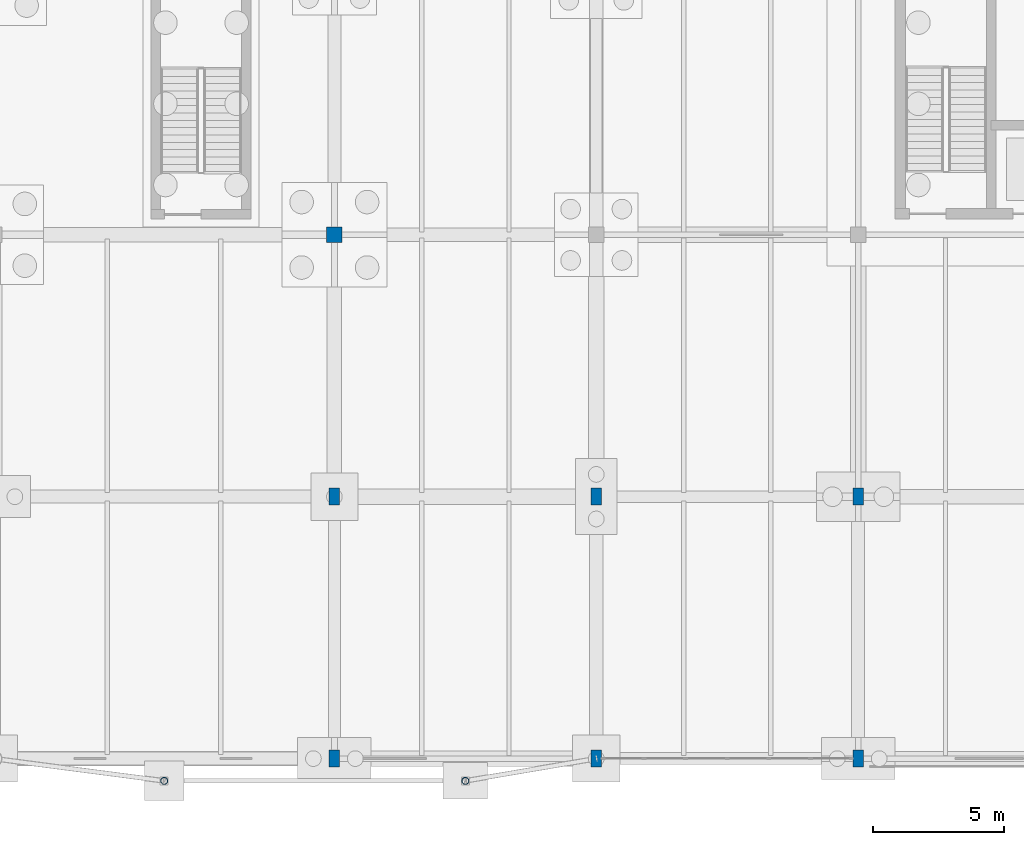
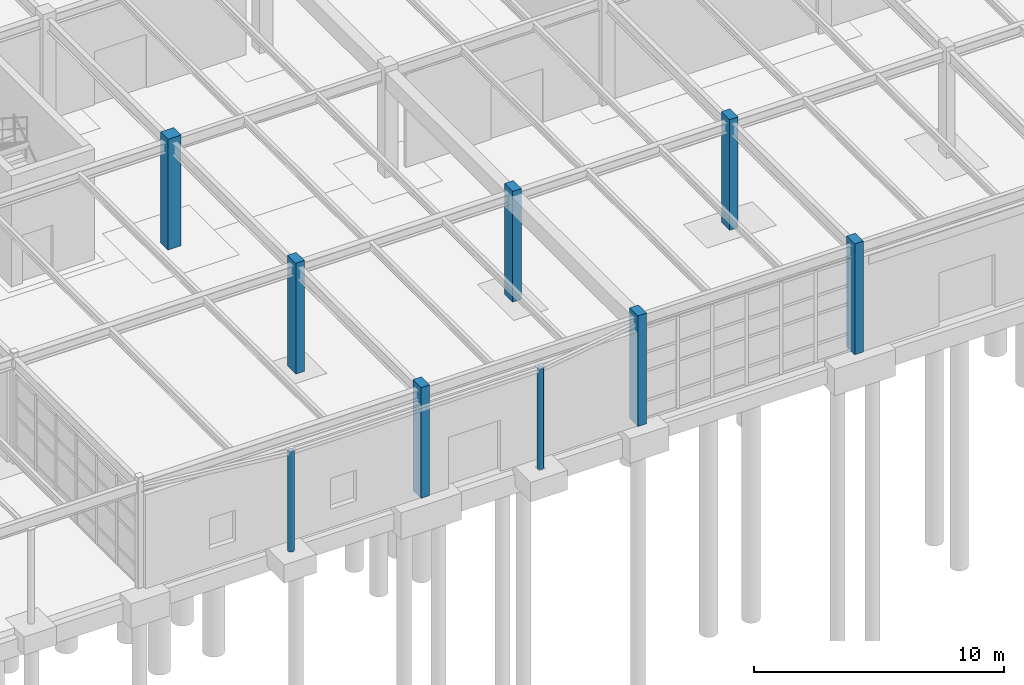
# One storey, part 26 of 145: 9 columns.
"""IFC4 building model written with IfcOpenShell, lengths in metres."""

import ifcopenshell
import ifcopenshell.guid

model = None  # the IFC model being written
_history = None  # IfcOwnerHistory: only IFC2X3 demands one
_inside = {}  # id of a spatial element -> (the spatial element, [elements in it])
_under = {}  # id of a project, library or spatial element -> (it, [spatial elements below it])
_declared = {}  # id of a project -> (the project, [libraries it declares])
_typed = {}  # id of a type object -> (the type object, [elements of that type])
_made_of = {}  # id of a material, layer set ... -> (it, [elements and type objects made of it])


def new_model(schema):
    """Start an empty IFC model of exactly this schema.

    Asked for "IFC4X3", IfcOpenShell would pick the latest addendum, in which some entities
    have other attributes; the version numbers below select the first issue.
    IFC2X3 requires an IfcOwnerHistory on every rooted entity: one is made here for all.
    """
    global model, _history
    if schema == "IFC4X3":
        model = ifcopenshell.file(schema_version=(4, 3, 0, 0))
    else:
        model = ifcopenshell.file(schema=schema)
    _inside.clear()
    _under.clear()
    _declared.clear()
    _typed.clear()
    _made_of.clear()
    _history = None
    if model.schema == "IFC2X3":
        org = make("IfcOrganization", Name="unknown")
        user = make(
            "IfcPersonAndOrganization",
            ThePerson=make("IfcPerson", FamilyName="unknown"),
            TheOrganization=org,
        )
        app = make(
            "IfcApplication",
            ApplicationDeveloper=org,
            Version="unknown",
            ApplicationFullName="unknown",
            ApplicationIdentifier="unknown",
        )
        _history = make(
            "IfcOwnerHistory",
            OwningUser=user,
            OwningApplication=app,
            ChangeAction="ADDED",
            CreationDate=0,
        )
    return model


def make(cls, **values):
    """One entity of the class cls with the attributes given. An attribute that is None is left unset."""
    return model.create_entity(
        cls, **{name: value for name, value in values.items() if value is not None}
    )


def rooted(cls, **values):
    """An entity with a GlobalId (a new one), such as an element, a storey or a relation."""
    return make(cls, GlobalId=ifcopenshell.guid.new(), OwnerHistory=_history, **values)


def si_unit(unit_type, name, prefix=None):
    """IfcSIUnit, for example si_unit("LENGTHUNIT", "METRE", prefix="MILLI")."""
    return make("IfcSIUnit", UnitType=unit_type, Prefix=prefix, Name=name)


def assignment(units):
    """IfcUnitAssignment: the units of a project."""
    return None if units is None else make("IfcUnitAssignment", Units=units)


def point(xyz):
    """IfcCartesianPoint."""
    return None if xyz is None else make("IfcCartesianPoint", Coordinates=xyz)


def direction(xyz):
    """IfcDirection."""
    return None if xyz is None else make("IfcDirection", DirectionRatios=xyz)


def frame(location, z_axis=None, x_axis=None):
    """IfcAxis2Placement3D, a coordinate frame: its origin and axes. An axis left out is left unset."""
    return make(
        "IfcAxis2Placement3D",
        Location=point(location),
        Axis=direction(z_axis),
        RefDirection=direction(x_axis),
    )


def frame_2d(location, x_axis=None):
    """IfcAxis2Placement2D, a coordinate frame in the plane: its origin and x axis."""
    return make(
        "IfcAxis2Placement2D", Location=point(location), RefDirection=direction(x_axis)
    )


def origin():
    """The frame at (0, 0, 0) with its axes left unset."""
    return frame((0.0, 0.0, 0.0))


def origin_2d():
    """The frame at (0, 0) in the plane with its x axis left unset."""
    return frame_2d((0.0, 0.0))


def place(relative_to, where):
    """IfcLocalPlacement: puts the frame where relative to a parent placement (None: the world)."""
    return make(
        "IfcLocalPlacement", PlacementRelTo=relative_to, RelativePlacement=where
    )


def context(
    kind, dimensions, precision=None, world=None, true_north=None, identifier=None
):
    """IfcGeometricRepresentationContext, for example the 3D "Model" context."""
    return make(
        "IfcGeometricRepresentationContext",
        ContextIdentifier=identifier,
        ContextType=kind,
        CoordinateSpaceDimension=dimensions,
        Precision=precision,
        WorldCoordinateSystem=world,
        TrueNorth=true_north,
    )


def subcontext(parent, identifier, kind, view, scale=None):
    """IfcGeometricRepresentationSubContext, for example "Body" below "Model"."""
    return make(
        "IfcGeometricRepresentationSubContext",
        ContextIdentifier=identifier,
        ContextType=kind,
        ParentContext=parent,
        TargetScale=scale,
        TargetView=view,
    )


def project(units=None, contexts=None):
    """IfcProject with its units and contexts."""
    return rooted(
        "IfcProject",
        Name="project",
        RepresentationContexts=contexts,
        UnitsInContext=assignment(units),
    )


def spatial(cls, under=None, at=None, **own):
    """A site, building, storey or space (cls), placed at a placement, below another one or the project."""
    s = rooted(cls, ObjectPlacement=at, **own)
    if under is not None:
        _under.setdefault(under.id(), (under, []))[1].append(s)
    return s


def profile(cls, at=None, kind="AREA", **sizes):
    """A parametric profile (cls). Its sizes go by their IFC names, for example OverallWidth=200.0."""
    return make(cls, ProfileType=kind, Position=at, **sizes)


def rectangle(**sizes):
    """IfcRectangleProfileDef."""
    return profile("IfcRectangleProfileDef", **sizes)


def hollow_circle(**sizes):
    """IfcCircleHollowProfileDef."""
    return profile("IfcCircleHollowProfileDef", **sizes)


def extrude(swept, where, along, depth):
    """IfcExtrudedAreaSolid: the profile swept, set in the frame where, extruded along a direction by depth."""
    return make(
        "IfcExtrudedAreaSolid",
        SweptArea=swept,
        Position=where,
        ExtrudedDirection=direction(along),
        Depth=depth,
    )


def shape(context_of_items, identifier, shape_type, items):
    """IfcShapeRepresentation: the items that make up one representation, for example the "Body"."""
    return make(
        "IfcShapeRepresentation",
        ContextOfItems=context_of_items,
        RepresentationIdentifier=identifier,
        RepresentationType=shape_type,
        Items=items,
    )


def material(Name=None, Category=None):
    """IfcMaterial."""
    return make("IfcMaterial", Name=Name, Category=Category)


def material_profile(
    of_material, cross_section, Name=None, Category=None, Priority=None
):
    """IfcMaterialProfile: a cross section and its material."""
    return make(
        "IfcMaterialProfile",
        Name=Name,
        Material=of_material,
        Profile=cross_section,
        Priority=Priority,
        Category=Category,
    )


def profile_set(profiles, Name=None, composite=None):
    """IfcMaterialProfileSet."""
    return make(
        "IfcMaterialProfileSet",
        Name=Name,
        MaterialProfiles=profiles,
        CompositeProfile=composite,
    )


def made_of(thing, what):
    """Note that an element or type object is made of a material, layer set ...; save() writes the relation."""
    if what is not None:
        _made_of.setdefault(what.id(), (what, []))[1].append(thing)
    return thing


def type_object(cls, material=None, **own):
    """A type object (cls), such as IfcWallType, which elements share."""
    return made_of(rooted(cls, **own), material)


def element(
    cls,
    number,
    at=None,
    inside=None,
    cuts=None,
    type_object=None,
    material=None,
    context=None,
    identifier="Body",
    shape_type=None,
    held_by="IfcProductDefinitionShape",
    body=None,
    shapes=None,
    **own,
):
    """One element of the class cls, such as IfcWall. Its Tag is "e" and its number.

    at: its placement. inside: the storey or other place that contains it. cuts: it is an
    opening in that element (IfcRelVoidsElement). A single representation is given by context,
    identifier, shape_type and body (its items); several are given by shapes. held_by: the class
    of the entity that holds the representations. save() writes the other relations.
    """
    e = rooted(cls, Tag="e%d" % number, ObjectPlacement=at, **own)
    if body is not None:
        shapes = [shape(context, identifier, shape_type, body)]
    if shapes is not None:
        e.Representation = make(held_by, Representations=shapes)
    if inside is not None:
        _inside.setdefault(inside.id(), (inside, []))[1].append(e)
    if cuts is not None:
        rooted(
            "IfcRelVoidsElement", RelatingBuildingElement=cuts, RelatedOpeningElement=e
        )
    if type_object is not None:
        _typed.setdefault(type_object.id(), (type_object, []))[1].append(e)
    return made_of(e, material)


def aggregate(whole, parts):
    """IfcRelAggregates: a whole, such as a stair, and the parts it consists of."""
    return rooted("IfcRelAggregates", RelatingObject=whole, RelatedObjects=parts)


def save(model, path):
    """Write the relations noted so far, then the file.

    IfcRelAggregates (storeys below a building ...), IfcRelContainedInSpatialStructure (elements
    in a storey), IfcRelDefinesByType, IfcRelAssociatesMaterial and IfcRelDeclares: one each for
    every whole, place, type object, material and project.
    """
    for whole, parts in _under.values():
        aggregate(whole, parts)
    for where, things in _inside.values():
        rooted(
            "IfcRelContainedInSpatialStructure",
            RelatedElements=things,
            RelatingStructure=where,
        )
    for kind, things in _typed.values():
        rooted("IfcRelDefinesByType", RelatedObjects=things, RelatingType=kind)
    for what, things in _made_of.values():
        rooted("IfcRelAssociatesMaterial", RelatedObjects=things, RelatingMaterial=what)
    for by, libraries in _declared.values():
        rooted("IfcRelDeclares", RelatingContext=by, RelatedDefinitions=libraries)
    model.write(path)


model = new_model("IFC4")

# Units and contexts
model_context = context("Model", 3, precision=1e-05, world=origin(), true_north=direction((0.0, 1.0)))
body_context = subcontext(model_context, "Body", "Model", "MODEL_VIEW")
ifc_project = project(units=[si_unit("LENGTHUNIT", "METRE"), si_unit("AREAUNIT", "SQUARE_METRE"), si_unit("VOLUMEUNIT", "CUBIC_METRE"), si_unit("PLANEANGLEUNIT", "RADIAN"), si_unit("MASSUNIT", "GRAM", prefix="KILO"), si_unit("THERMODYNAMICTEMPERATUREUNIT", "KELVIN"), si_unit("POWERUNIT", "WATT")], contexts=[model_context])

# Site, building, storey
site_placement = place(None, origin())
site = spatial("IfcSite", under=ifc_project, at=site_placement, CompositionType="ELEMENT")
building_placement = place(site_placement, origin())
building = spatial("IfcBuilding", under=site, at=building_placement, Name="Korenveer Ferry Terminal", CompositionType="ELEMENT")
storey_placement = place(building_placement, origin())
storey = spatial("IfcBuildingStorey", under=building, at=storey_placement, Name="L00", CompositionType="ELEMENT", Elevation=0.0)

# Columns
ifc_material_1 = material(Name="Steel S355", Category="steel")
ifc_material_profile_1 = material_profile(ifc_material_1, hollow_circle(Radius=0.136474609375, WallThickness=0.012451171875, at=origin_2d()), Name="CHS 273x12.5")
ifc_profile_set_1 = profile_set([ifc_material_profile_1], Name="Steel S355")
column_type_1 = type_object("IfcColumnType", Name="STR-COL-CHS273", PredefinedType="COLUMN", material=ifc_profile_set_1)
for number, where, z_axis, x_axis, name in (
    (1, (129.5, -0.85009765625, 0.0), (0.0, 0.0, 1.0), (1.0, 0.0, 0.0), "Forecourt lancet colonnade column 7"),
    (2, (141.0, -0.85009765625, 0.0), (0.0, 0.0, 1.0), (1.0, 0.0, 0.0), "Forecourt lancet colonnade column 8"),
):
    element("IfcColumn", number, at=place(storey_placement, frame(where, z_axis=z_axis, x_axis=x_axis)), inside=storey, type_object=column_type_1, Name=name, PredefinedType="COLUMN", context=body_context, shape_type="SweptSolid", body=[
        extrude(hollow_circle(Radius=0.136474609375, WallThickness=0.012451171875, at=origin_2d()), origin(), (0.0, 0.0, 1.0), 4.89990234375),
    ])
ifc_material_2 = material(Name="Concrete C45/55", Category="concrete")
ifc_material_profile_2 = material_profile(ifc_material_2, rectangle(XDim=0.39990234375, YDim=0.64990234375, at=origin_2d()), Name="RC 400x650")
ifc_profile_set_2 = profile_set([ifc_material_profile_2], Name="Concrete C45/55")
column_type_2 = type_object("IfcColumnType", Name="STR-COL-RC400X650", PredefinedType="COLUMN", material=ifc_profile_set_2)
for number, where, z_axis, x_axis, name in (
    (3, (136.0, 0.0, 0.0), (0.0, 0.0, 1.0), (1.0, 0.0, 0.0), "Column COL-L00-X136-Y0"),
    (4, (136.0, 10.0, 0.0), (0.0, 0.0, 1.0), (1.0, 0.0, 0.0), "Column COL-L00-X136-Y10"),
    (5, (146.0, 0.0, 0.0), (0.0, 0.0, 1.0), (1.0, 0.0, 0.0), "Column COL-L00-X146-Y0"),
    (6, (146.0, 10.0, 0.0), (0.0, 0.0, 1.0), (1.0, 0.0, 0.0), "Column COL-L00-X146-Y10"),
    (7, (156.0, 0.0, 0.0), (0.0, 0.0, 1.0), (1.0, 0.0, 0.0), "Column COL-L00-X156-Y0"),
    (8, (156.0, 10.0, 0.0), (0.0, 0.0, 1.0), (1.0, 0.0, 0.0), "Column COL-L00-X156-Y10"),
):
    element("IfcColumn", number, at=place(storey_placement, frame(where, z_axis=z_axis, x_axis=x_axis)), inside=storey, type_object=column_type_2, Name=name, PredefinedType="COLUMN", context=body_context, shape_type="SweptSolid", body=[
        extrude(rectangle(XDim=0.39990234375, YDim=0.64990234375, at=origin_2d()), origin(), (0.0, 0.0, 1.0), 5.39990234375),
    ])
ifc_material_profile_3 = material_profile(ifc_material_2, rectangle(XDim=0.60009765625, YDim=0.60009765625, at=origin_2d()), Name="RC 600x600")
ifc_profile_set_3 = profile_set([ifc_material_profile_3], Name="Concrete C45/55")
column_type_3 = type_object("IfcColumnType", Name="STR-COL-RC600", PredefinedType="COLUMN", material=ifc_profile_set_3)
column_placement = place(storey_placement, frame((136.0, 20.0, 0.0), z_axis=(0.0, 0.0, 1.0), x_axis=(1.0, 0.0, 0.0)))
element("IfcColumn", 9, at=column_placement, inside=storey, type_object=column_type_3, Name="Column COL-L00-X136-Y20", PredefinedType="COLUMN", context=body_context, shape_type="SweptSolid", body=[
    extrude(rectangle(XDim=0.60009765625, YDim=0.60009765625, at=origin_2d()), origin(), (0.0, 0.0, 1.0), 5.39990234375),
])

save(model, "model.ifc")
